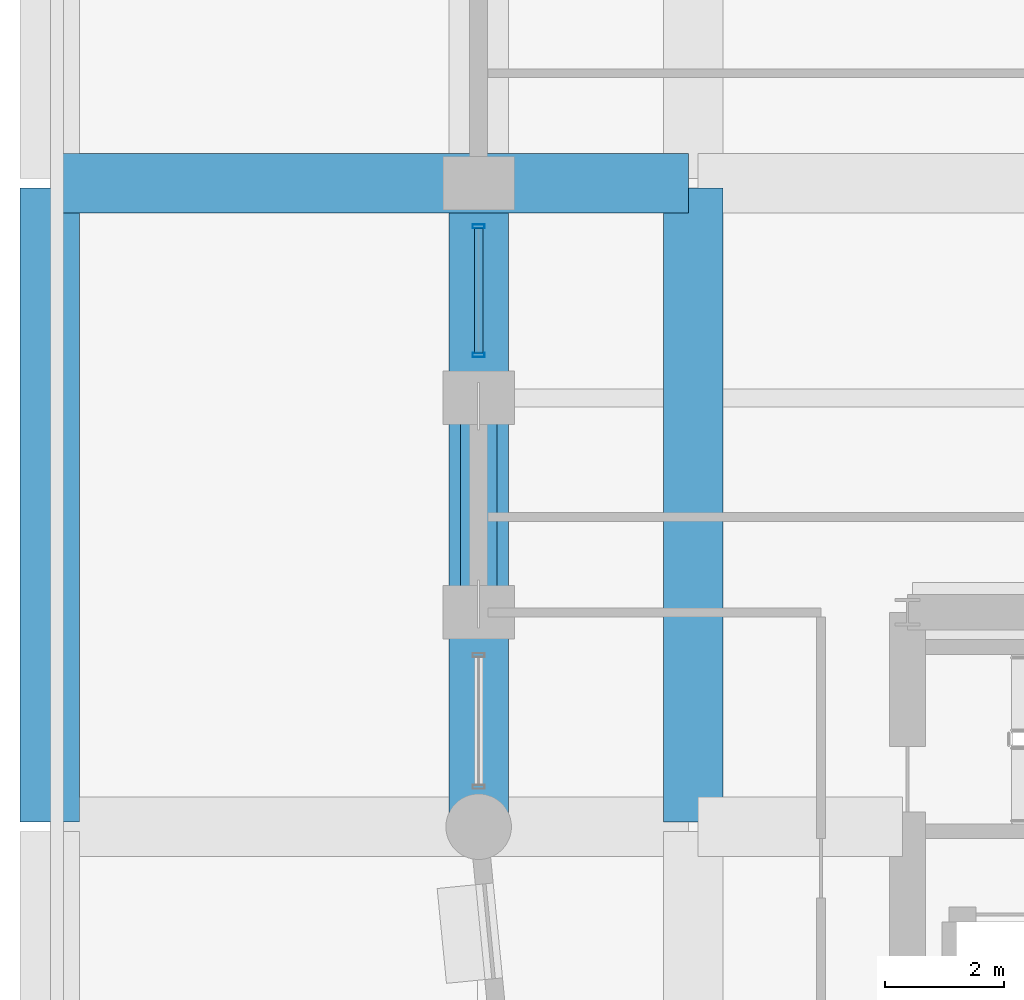
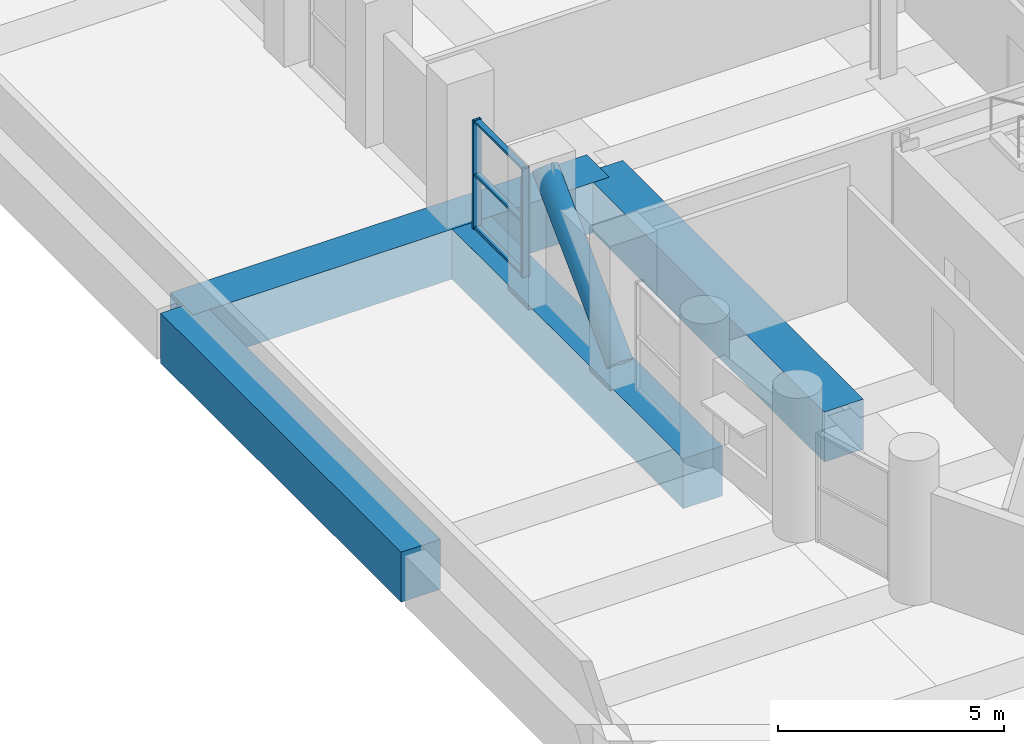
# One storey, part 8 of 39: 6 members, 4 beams, 1 element without a shape of its own.
"""IFC4 building model written with IfcOpenShell, lengths in metres."""

from ifc_helpers import new_model, si_unit, direction, frame, origin, origin_2d, place, context, subcontext, project, spatial, rectangle, hollow_rectangle, hollow_circle, extrude, material, layer, layer_set, material_profile, profile_set, type_object, element, aggregate, save


model = new_model("IFC4")

# Units and contexts
model_context = context("Model", 3, precision=1e-05, world=origin(), true_north=direction((0.0, 1.0)))
body_context = subcontext(model_context, "Body", "Model", "MODEL_VIEW")
ifc_project = project(units=[si_unit("LENGTHUNIT", "METRE"), si_unit("AREAUNIT", "SQUARE_METRE"), si_unit("VOLUMEUNIT", "CUBIC_METRE"), si_unit("PLANEANGLEUNIT", "RADIAN"), si_unit("MASSUNIT", "GRAM", prefix="KILO")], contexts=[model_context])

# Site, building, storey
site_placement = place(None, origin())
site = spatial("IfcSite", under=ifc_project, at=site_placement, CompositionType="ELEMENT")
building_placement = place(site_placement, origin())
building = spatial("IfcBuilding", under=site, at=building_placement, Name="Solnavia Interchange Tower", CompositionType="ELEMENT")
storey_placement = place(building_placement, frame((0.0, 0.0, 24.0)))
storey = spatial("IfcBuildingStorey", under=building, at=storey_placement, Name="L05", CompositionType="ELEMENT", Elevation=24.0)

# Beams
ifc_material_1 = material(Name="Concrete C60/75", Category="concrete")
ifc_material_profile_1 = material_profile(ifc_material_1, rectangle(XDim=1.0, YDim=1.35009765625, at=origin_2d()), Name="RC 1000x1350")
ifc_profile_set_1 = profile_set([ifc_material_profile_1], Name="Concrete C60/75")
beam_type = type_object("IfcBeamType", Name="Beam-Transfer-RC1000x1350", PredefinedType="BEAM", material=ifc_profile_set_1)
beam_placement = place(storey_placement, frame((0.080078125, 32.39990234375, -0.675048828125), z_axis=(1.0, 0.0, 0.0), x_axis=(0.0, 1.0, 0.0)))
element("IfcBeam", 1, at=beam_placement, inside=storey, type_object=beam_type, Name="TRB-L05-21 North primary transfer girder", PredefinedType="BEAM", context=body_context, shape_type="SweptSolid", body=[
    extrude(rectangle(XDim=1.0, YDim=1.35009765625, at=origin_2d()), origin(), (0.0, 0.0, 1.0), 10.639892578125),
])
for number, where, z_axis, x_axis, name in (
    (2, (0.0, 21.679931640625, -0.675048828125), (0.0, 1.0, 0.0), (-1.0, 0.0, 0.0), "TRB-L05-32 West N-S primary transfer girder"),
    (3, (10.800048828125, 21.679931640625, -0.675048828125), (0.0, 1.0, 0.0), (-1.0, 0.0, 0.0), "TRB-L05-37 West N-S primary transfer girder"),
    (4, (7.199951171875, 21.679931640625, -0.675048828125), (0.0, 1.0, 0.0), (-1.0, 0.0, 0.0), "TRB-L05-56 West tower perimeter transfer girder"),
):
    element("IfcBeam", number, at=place(storey_placement, frame(where, z_axis=z_axis, x_axis=x_axis)), inside=storey, type_object=beam_type, Name=name, PredefinedType="BEAM", context=body_context, shape_type="SweptSolid", body=[
        extrude(rectangle(XDim=1.0, YDim=1.35009765625, at=origin_2d()), origin(), (0.0, 0.0, 1.0), 10.64013671875),
    ])

# Member
ifc_material_2 = material(Name="Steel S460", Category="steel")
ifc_material_profile_2 = material_profile(ifc_material_2, hollow_circle(Radius=0.304931640625, WallThickness=0.02490234375, at=origin_2d()), Name="CHS 610x25")
ifc_profile_set_2 = profile_set([ifc_material_profile_2], Name="Steel S460")
member_type_1 = type_object("IfcMemberType", Name="Brace-Perim-CHS610", PredefinedType="BRACE", material=ifc_profile_set_2)
member_1_placement = place(storey_placement, frame((7.199951171875, 25.340087890625, 0.179931640625), z_axis=(0.0, 0.710285911997, 0.703913292401), x_axis=(-1.0, 0.0, 0.0)))
element("IfcMember", 5, at=member_1_placement, inside=storey, type_object=member_type_1, Name="BRC-L05-01 Perimeter tube diagonal brace", PredefinedType="BRACE", context=body_context, shape_type="SweptSolid", body=[
    extrude(hollow_circle(Radius=0.304931640625, WallThickness=0.02490234375, at=origin_2d()), origin(), (0.0, 0.0, 1.0), 4.673828125),
])

# Curtain wall, members
ifc_material_3 = material(Name="Aluminium Alloy 6063-T6", Category="aluminium")
ifc_layer = layer(ifc_material_3, 0.219970703125)
ifc_layer_set = layer_set([ifc_layer], Name="Aluminium Alloy 6063-T6")
curtain_wall_type = type_object("IfcCurtainWallType", Name="CurtainWall-Tower-CTW3", PredefinedType="NOTDEFINED", material=ifc_layer_set)
curtain_wall_placement = place(storey_placement, origin())
curtain_wall = element("IfcCurtainWall", 6, at=curtain_wall_placement, inside=storey, type_object=curtain_wall_type, Name="CTW-L05-S54 CTW-3 curtain wall", PredefinedType="NOTDEFINED")
ifc_material_profile_3 = material_profile(ifc_material_3, hollow_rectangle(XDim=0.070068359375, YDim=0.199951171875, WallThickness=0.0048828125, at=origin_2d()), Name="ALU 200x70x5")
ifc_profile_set_3 = profile_set([ifc_material_profile_3], Name="Aluminium Alloy 6063-T6")
member_type_2 = type_object("IfcMemberType", Name="CW-Mullion-CWM-3", PredefinedType="MULLION", material=ifc_profile_set_3)
member_2_placement = place(storey_placement, frame((7.199951171875, 31.679931640625, 0.0), z_axis=(0.0, 0.0, 1.0), x_axis=(0.0, -1.0, 0.0)))
member_2 = element("IfcMember", 7, at=member_2_placement, type_object=member_type_2, Name="CTW-3 mullion 1", PredefinedType="MULLION", context=body_context, shape_type="SweptSolid", body=[
    extrude(hollow_rectangle(XDim=0.070068359375, YDim=0.199951171875, WallThickness=0.0048828125, at=origin_2d()), origin(), (0.0, 0.0, 1.0), 2.929931640625),
])
member_3_placement = place(storey_placement, frame((7.199951171875, 29.52001953125, 0.0), z_axis=(0.0, 0.0, 1.0), x_axis=(0.0, -1.0, 0.0)))
member_3 = element("IfcMember", 8, at=member_3_placement, type_object=member_type_2, Name="CTW-3 mullion 2", PredefinedType="MULLION", context=body_context, shape_type="SweptSolid", body=[
    extrude(hollow_rectangle(XDim=0.070068359375, YDim=0.199951171875, WallThickness=0.0048828125, at=origin_2d()), origin(), (0.0, 0.0, 1.0), 2.929931640625),
])
ifc_material_profile_4 = material_profile(ifc_material_3, hollow_rectangle(XDim=0.06494140625, YDim=0.139892578125, WallThickness=0.00390625, at=origin_2d()), Name="ALU 140x65x4")
ifc_profile_set_4 = profile_set([ifc_material_profile_4], Name="Aluminium Alloy 6063-T6")
member_type_3 = type_object("IfcMemberType", Name="CW-Transom-CWT-3", PredefinedType="USERDEFINED", material=ifc_profile_set_4)
member_4_placement = place(storey_placement, frame((7.199951171875, 31.64501953125, 0.032470703125), z_axis=(0.0, -1.0, 0.0), x_axis=(0.0, 0.0, 1.0)))
member_4 = element("IfcMember", 9, at=member_4_placement, type_object=member_type_3, Name="CTW-3 transom 1.1", ObjectType="TRANSOM", PredefinedType="USERDEFINED", context=body_context, shape_type="SweptSolid", body=[
    extrude(hollow_rectangle(XDim=0.06494140625, YDim=0.139892578125, WallThickness=0.00390625, at=origin_2d()), origin(), (0.0, 0.0, 1.0), 2.090087890625),
])
member_5_placement = place(storey_placement, frame((7.199951171875, 31.64501953125, 1.465087890625), z_axis=(0.0, -1.0, 0.0), x_axis=(0.0, 0.0, 1.0)))
member_5 = element("IfcMember", 10, at=member_5_placement, type_object=member_type_3, Name="CTW-3 transom 1.2", ObjectType="TRANSOM", PredefinedType="USERDEFINED", context=body_context, shape_type="SweptSolid", body=[
    extrude(hollow_rectangle(XDim=0.06494140625, YDim=0.139892578125, WallThickness=0.00390625, at=origin_2d()), origin(), (0.0, 0.0, 1.0), 2.090087890625),
])
member_6_placement = place(storey_placement, frame((7.199951171875, 31.64501953125, 2.8974609375), z_axis=(0.0, -1.0, 0.0), x_axis=(0.0, 0.0, 1.0)))
member_6 = element("IfcMember", 11, at=member_6_placement, type_object=member_type_3, Name="CTW-3 transom 1.3", ObjectType="TRANSOM", PredefinedType="USERDEFINED", context=body_context, shape_type="SweptSolid", body=[
    extrude(hollow_rectangle(XDim=0.06494140625, YDim=0.139892578125, WallThickness=0.00390625, at=origin_2d()), origin(), (0.0, 0.0, 1.0), 2.090087890625),
])
aggregate(curtain_wall, [member_2, member_3, member_4, member_5, member_6])

save(model, "model.ifc")
